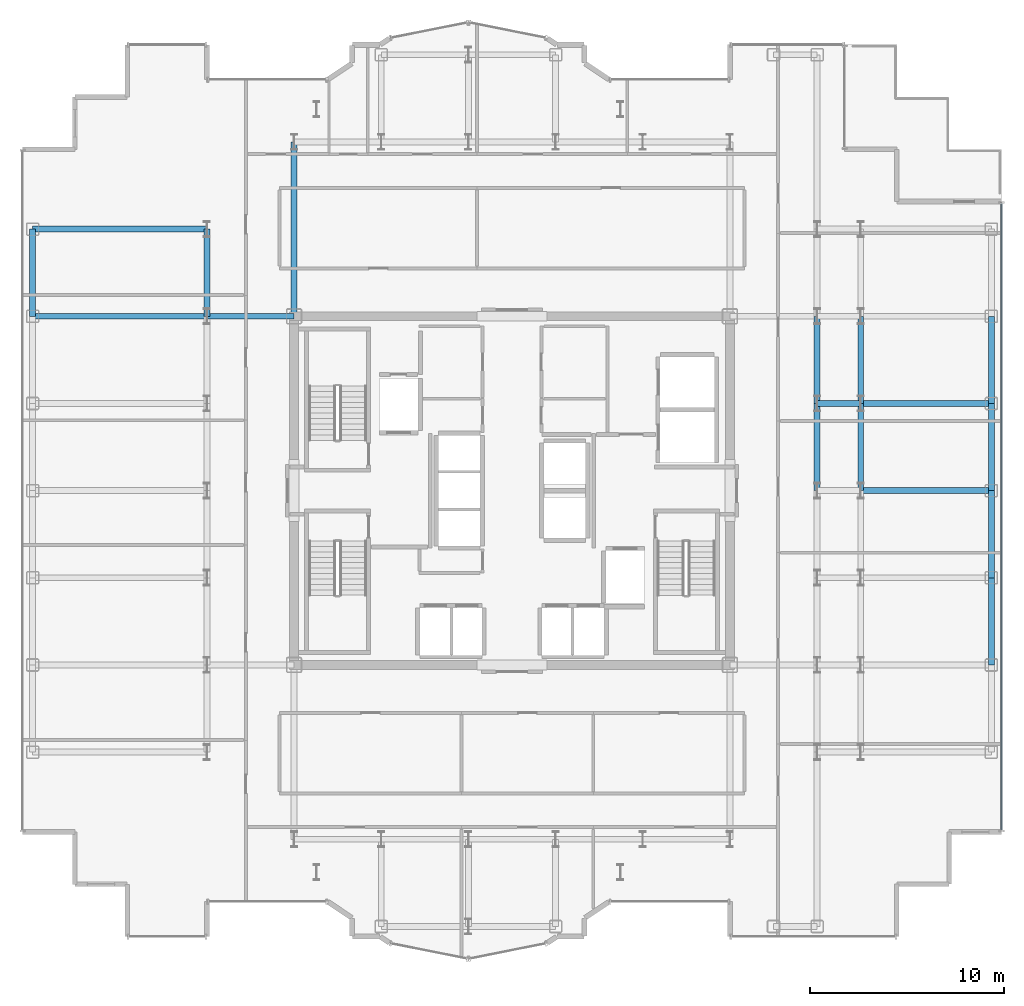
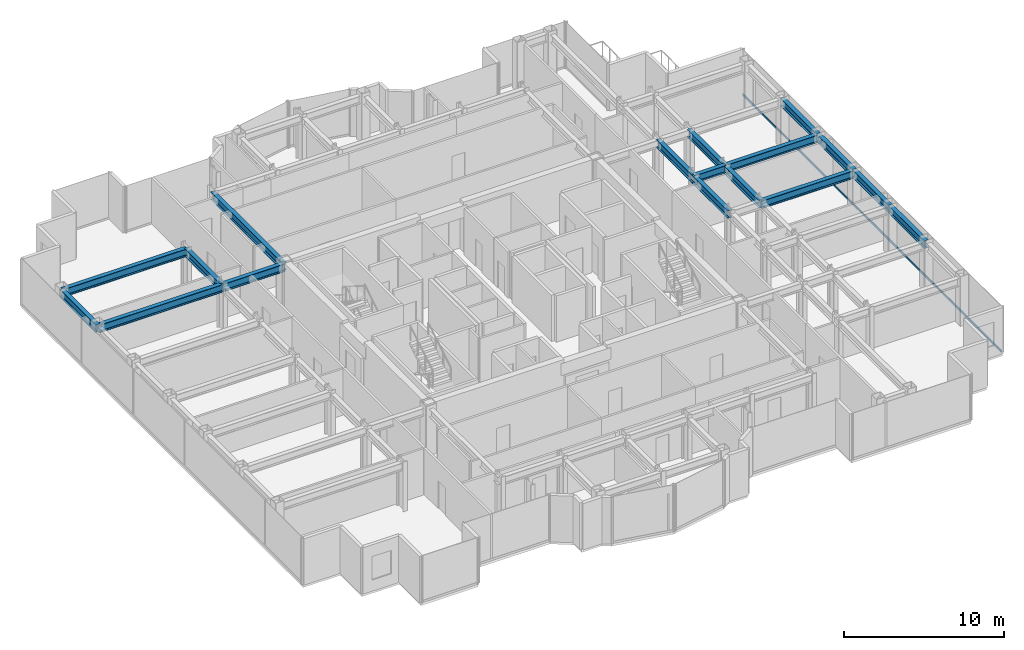
# One storey, part 7 of 20: 17 beams, 1 member, 1 element without a shape of its own.
"""IFC4 building model written with IfcOpenShell, lengths in metres."""

from ifc_helpers import new_model, si_unit, direction, frame, origin, origin_2d, place, context, subcontext, project, spatial, hollow_rectangle, i_section, extrude, source, transform, mapped, material, layer, layer_set, material_profile, profile_set, type_object, element, aggregate, save


model = new_model("IFC4")

# Units and contexts
model_context = context("Model", 3, precision=1e-05, world=origin(), true_north=direction((0.0, 1.0)))
body_context = subcontext(model_context, "Body", "Model", "MODEL_VIEW")
ifc_project = project(units=[si_unit("LENGTHUNIT", "METRE"), si_unit("AREAUNIT", "SQUARE_METRE"), si_unit("VOLUMEUNIT", "CUBIC_METRE"), si_unit("PLANEANGLEUNIT", "RADIAN"), si_unit("MASSUNIT", "GRAM", prefix="KILO")], contexts=[model_context])

# Site, building, storey
site_placement = place(None, origin())
site = spatial("IfcSite", under=ifc_project, at=site_placement, CompositionType="ELEMENT")
building_placement = place(site_placement, origin())
building = spatial("IfcBuilding", under=site, at=building_placement, Name="Nefas-Gora Pilgrimage Tower", CompositionType="ELEMENT")
storey_placement = place(building_placement, frame((0.0, 0.0, 221.800048828125)))
storey = spatial("IfcBuildingStorey", under=building, at=storey_placement, Name="L55", CompositionType="ELEMENT", Elevation=221.800048828125)

# Beams
ifc_material_1 = material(Name="Steel S355", Category="steel")
ifc_material_profile_1 = material_profile(ifc_material_1, i_section(OverallWidth=0.300048828125, OverallDepth=0.60009765625, WebThickness=0.015380859375, FlangeThickness=0.030029296875, FilletRadius=0.027099609375, at=origin_2d()), Name="HEB 600")
ifc_profile_set_1 = profile_set([ifc_material_profile_1], Name="Steel S355")
beam_type_1 = type_object("IfcBeamType", Name="BM-SPN-HEB450", PredefinedType="SPANDREL", material=ifc_profile_set_1)
shared_shape_1 = source(origin(), body_context, "Body", "SweptSolid", [
    extrude(i_section(OverallWidth=0.300048828125, OverallDepth=0.60009765625, WebThickness=0.015380859375, FlangeThickness=0.030029296875, FilletRadius=0.027099609375, at=origin_2d()), origin(), (0.0, 0.0, 1.0), 4.5),
])
for number, where, z_axis, x_axis, name in (
    (1, (-24.75, 9.0, 3.25), (0.0, 1.0, 0.0), (-1.0, 0.0, 0.0), "L55 SP-03 beam"),
    (2, (24.75, -9.0, 3.25), (0.0, 1.0, 0.0), (-1.0, 0.0, 0.0), "L55 SP-03 beam"),
    (3, (24.75, -4.5, 3.25), (0.0, 1.0, 0.0), (-1.0, 0.0, 0.0), "L55 SP-03 beam"),
    (4, (24.75, 0.0, 3.25), (0.0, 1.0, 0.0), (-1.0, 0.0, 0.0), "L55 SP-03 beam"),
    (5, (24.75, 4.5, 3.25), (0.0, 1.0, 0.0), (-1.0, 0.0, 0.0), "L55 SP-03 beam"),
):
    element("IfcBeam", number, at=place(storey_placement, frame(where, z_axis=z_axis, x_axis=x_axis)), inside=storey, type_object=beam_type_1, Name=name, PredefinedType="SPANDREL", context=body_context, shape_type="MappedRepresentation", body=[
        mapped(shared_shape_1, transform((0.0, 0.0, 0.0), x_axis=(1.0, 0.0, 0.0), y_axis=(0.0, 1.0, 0.0), z_axis=(0.0, 0.0, 1.0), scale=1.0)),
    ])
ifc_material_profile_2 = material_profile(ifc_material_1, i_section(OverallWidth=0.300048828125, OverallDepth=0.60009765625, WebThickness=0.015380859375, FlangeThickness=0.030029296875, FilletRadius=0.027099609375, at=origin_2d()), Name="HEB 600")
ifc_profile_set_2 = profile_set([ifc_material_profile_2], Name="Steel S355")
beam_type_2 = type_object("IfcBeamType", Name="BM-GIR-HEB600", PredefinedType="BEAM", material=ifc_profile_set_2)
shared_shape_2 = source(origin(), body_context, "Body", "SweptSolid", [
    extrude(i_section(OverallWidth=0.300048828125, OverallDepth=0.60009765625, WebThickness=0.015380859375, FlangeThickness=0.030029296875, FilletRadius=0.027099609375, at=origin_2d()), origin(), (0.0, 0.0, 1.0), 9.0),
])
for number, where, z_axis, x_axis, name in (
    (6, (-24.75, 9.0, 3.25), (1.0, 0.0, 0.0), (0.0, 1.0, 0.0), "L55 G-04 beam"),
    (7, (-24.75, 13.5, 3.25), (1.0, 0.0, 0.0), (0.0, 1.0, 0.0), "L55 G-04 beam"),
    (8, (-11.25, 9.0, 3.25), (0.0, 1.0, 0.0), (-1.0, 0.0, 0.0), "L55 G-04 beam"),
):
    element("IfcBeam", number, at=place(storey_placement, frame(where, z_axis=z_axis, x_axis=x_axis)), inside=storey, type_object=beam_type_2, Name=name, PredefinedType="BEAM", context=body_context, shape_type="MappedRepresentation", body=[
        mapped(shared_shape_2, transform((0.0, 0.0, 0.0), x_axis=(1.0, 0.0, 0.0), y_axis=(0.0, 1.0, 0.0), z_axis=(0.0, 0.0, 1.0), scale=1.0)),
    ])
shared_shape_3 = source(origin(), body_context, "Body", "SweptSolid", [
    extrude(i_section(OverallWidth=0.300048828125, OverallDepth=0.60009765625, WebThickness=0.015380859375, FlangeThickness=0.030029296875, FilletRadius=0.027099609375, at=origin_2d()), origin(), (0.0, 0.0, 1.0), 4.5),
])
for number, where, z_axis, x_axis, name in (
    (9, (-15.75, 9.0, 3.25), (0.0, 1.0, 0.0), (-1.0, 0.0, 0.0), "L55 G-04 beam"),
    (10, (-15.75, 9.0, 3.25), (1.0, 0.0, 0.0), (0.0, 1.0, 0.0), "L55 G-04 beam"),
    (11, (15.75, 0.0, 3.25), (0.0, 1.0, 0.0), (-1.0, 0.0, 0.0), "L55 G-04 beam"),
    (12, (15.75, 4.5, 3.25), (0.0, 1.0, 0.0), (-1.0, 0.0, 0.0), "L55 G-04 beam"),
    (13, (18.0, 0.0, 3.25), (0.0, 1.0, 0.0), (-1.0, 0.0, 0.0), "L55 G-04 beam"),
    (14, (18.0, 4.5, 3.25), (0.0, 1.0, 0.0), (-1.0, 0.0, 0.0), "L55 G-04 beam"),
):
    element("IfcBeam", number, at=place(storey_placement, frame(where, z_axis=z_axis, x_axis=x_axis)), inside=storey, type_object=beam_type_2, Name=name, PredefinedType="BEAM", context=body_context, shape_type="MappedRepresentation", body=[
        mapped(shared_shape_3, transform((0.0, 0.0, 0.0), x_axis=(1.0, 0.0, 0.0), y_axis=(0.0, 1.0, 0.0), z_axis=(0.0, 0.0, 1.0), scale=1.0)),
    ])
shared_shape_4 = source(origin(), body_context, "Body", "SweptSolid", [
    extrude(i_section(OverallWidth=0.300048828125, OverallDepth=0.60009765625, WebThickness=0.015380859375, FlangeThickness=0.030029296875, FilletRadius=0.027099609375, at=origin_2d()), origin(), (0.0, 0.0, 1.0), 6.75),
])
for number, where, z_axis, x_axis, name in (
    (15, (18.0, 0.0, 3.25), (1.0, 0.0, 0.0), (0.0, 1.0, 0.0), "L55 G-04 beam"),
    (16, (18.0, 4.5, 3.25), (1.0, 0.0, 0.0), (0.0, 1.0, 0.0), "L55 G-04 beam"),
):
    element("IfcBeam", number, at=place(storey_placement, frame(where, z_axis=z_axis, x_axis=x_axis)), inside=storey, type_object=beam_type_2, Name=name, PredefinedType="BEAM", context=body_context, shape_type="MappedRepresentation", body=[
        mapped(shared_shape_4, transform((0.0, 0.0, 0.0), x_axis=(1.0, 0.0, 0.0), y_axis=(0.0, 1.0, 0.0), z_axis=(0.0, 0.0, 1.0), scale=1.0)),
    ])
shared_shape_5 = source(origin(), body_context, "Body", "SweptSolid", [
    extrude(i_section(OverallWidth=0.300048828125, OverallDepth=0.60009765625, WebThickness=0.015380859375, FlangeThickness=0.030029296875, FilletRadius=0.027099609375, at=origin_2d()), origin(), (0.0, 0.0, 1.0), 2.25),
])
beam_placement = place(storey_placement, frame((15.75, 4.5, 3.25), z_axis=(1.0, 0.0, 0.0), x_axis=(0.0, 1.0, 0.0)))
element("IfcBeam", 17, at=beam_placement, inside=storey, type_object=beam_type_2, Name="L55 G-04 beam", PredefinedType="BEAM", context=body_context, shape_type="MappedRepresentation", body=[
    mapped(shared_shape_5, transform((0.0, 0.0, 0.0), x_axis=(1.0, 0.0, 0.0), y_axis=(0.0, 1.0, 0.0), z_axis=(0.0, 0.0, 1.0), scale=1.0)),
])

# Curtain wall, member
ifc_material_2 = material(Name="Dark ceramic-fritted solar-control aluminium-glass curtain wall", Category="aluminium")
ifc_layer = layer(ifc_material_2, 0.219970703125)
ifc_layer_set = layer_set([ifc_layer], Name="Dark ceramic-fritted solar-control aluminium-glass curtain wall")
curtain_wall_type = type_object("IfcCurtainWallType", Name="CW-SYS-3", PredefinedType="NOTDEFINED", material=ifc_layer_set)
curtain_wall_placement = place(storey_placement, origin())
curtain_wall = element("IfcCurtainWall", 18, at=curtain_wall_placement, inside=storey, type_object=curtain_wall_type, Name="L55 Unitised Curtain Wall CW3", PredefinedType="NOTDEFINED")
ifc_material_3 = material(Name="Anodised architectural aluminium", Category="aluminium")
ifc_material_profile_3 = material_profile(ifc_material_3, hollow_rectangle(XDim=0.080078125, YDim=0.159912109375, WallThickness=0.00439453125, InnerFilletRadius=0.00439453125, OuterFilletRadius=0.009033203125, at=origin_2d()), Name="ALU TRANSOM 80x160")
ifc_profile_set_3 = profile_set([ifc_material_profile_3], Name="Anodised architectural aluminium")
member_type = type_object("IfcMemberType", Name="CWM-TRN-3", PredefinedType="USERDEFINED", material=ifc_profile_set_3)
shared_shape_6 = source(origin(), body_context, "Body", "SweptSolid", [
    extrude(hollow_rectangle(XDim=0.080078125, YDim=0.159912109375, WallThickness=0.00439453125, InnerFilletRadius=0.00439453125, OuterFilletRadius=0.009033203125, at=origin_2d()), origin(), (0.0, 0.0, 1.0), 32.360107421875),
])
member_placement = place(storey_placement, frame((25.27001953125, -17.530029296875, 0.050048828125), z_axis=(0.0, 1.0, 0.0), x_axis=(-1.0, 0.0, 0.0)))
member = element("IfcMember", 19, at=member_placement, type_object=member_type, Name="CW3 Spandrel Transom", ObjectType="TRANSOM", PredefinedType="USERDEFINED", context=body_context, shape_type="MappedRepresentation", body=[
    mapped(shared_shape_6, transform((0.0, 0.0, 0.0), x_axis=(1.0, 0.0, 0.0), y_axis=(0.0, 1.0, 0.0), z_axis=(0.0, 0.0, 1.0), scale=1.0)),
])
aggregate(curtain_wall, [member])

save(model, "model.ifc")
